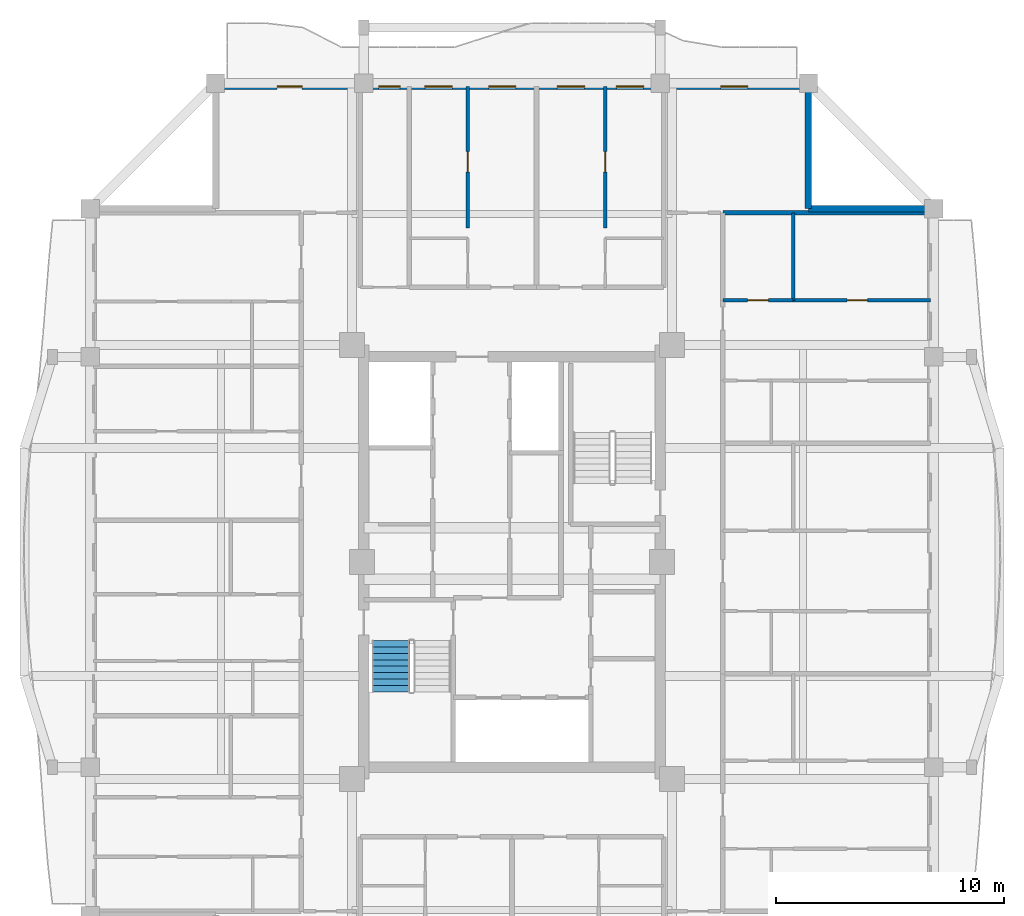
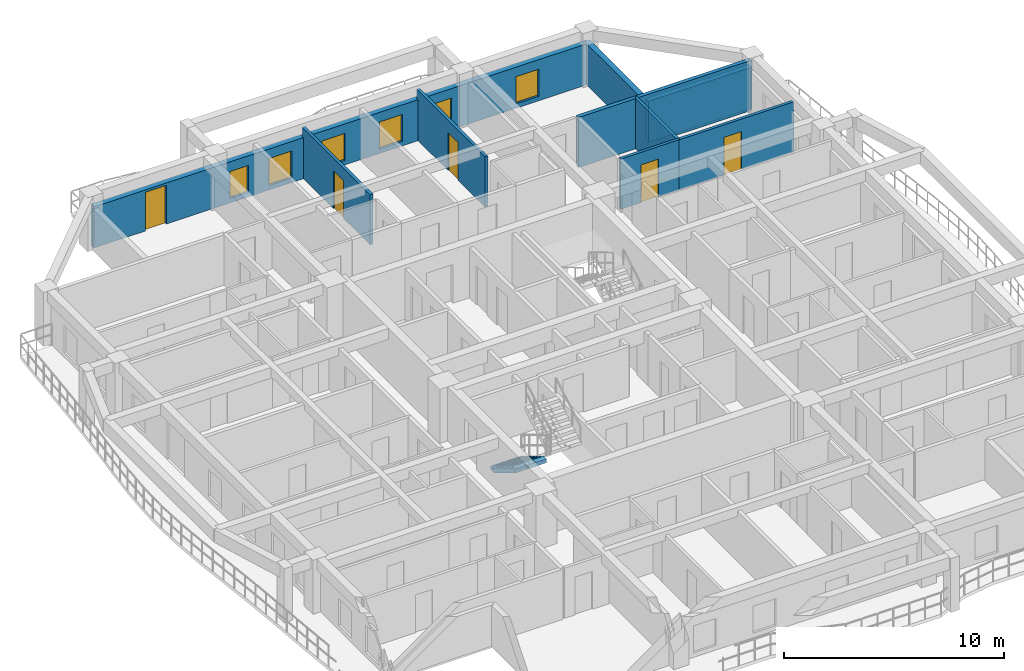
# One storey, part 7 of 13: 9 walls, 6 windows, 5 doors, 1 stair flight, 11 openings, 1 element without a shape of its own.
"""IFC4 building model written with IfcOpenShell, lengths in metres."""

from ifc_helpers import new_model, si_unit, direction, frame, frame_2d, origin, place, context, subcontext, project, spatial, polyline, rectangle, outline, extrude, source, transform, mapped, material, layer, layer_set, type_object, element, fill, aggregate, save


model = new_model("IFC4")

# Units and contexts
model_context = context("Model", 3, precision=1e-05, world=origin(), true_north=direction((0.0, 1.0)))
body_context = subcontext(model_context, "Body", "Model", "MODEL_VIEW")
ifc_project = project(units=[si_unit("LENGTHUNIT", "METRE"), si_unit("AREAUNIT", "SQUARE_METRE"), si_unit("VOLUMEUNIT", "CUBIC_METRE"), si_unit("PLANEANGLEUNIT", "RADIAN"), si_unit("MASSUNIT", "GRAM", prefix="KILO")], contexts=[model_context])

# Site, building, storey
site_placement = place(None, origin())
site = spatial("IfcSite", under=ifc_project, at=site_placement, CompositionType="ELEMENT")
building_placement = place(site_placement, origin())
building = spatial("IfcBuilding", under=site, at=building_placement, Name="Saelheon Loggia Tower", CompositionType="ELEMENT")
storey_placement = place(building_placement, frame((0.0, 0.0, 199.60009765625)))
storey = spatial("IfcBuildingStorey", under=building, at=storey_placement, Name="L62", CompositionType="ELEMENT", Elevation=199.60009765625)

# Wall, openings, windows, door
ifc_material_1 = material(Name="Architectural Precast Concrete C40/50", Category="concrete")
ifc_layer_1 = layer(ifc_material_1, 0.280029296875)
ifc_layer_set_1 = layer_set([ifc_layer_1], Name="Architectural Precast Concrete C40/50")
wall_type_1 = type_object("IfcWallType", Name="Wall_Ext_Loggia_280", PredefinedType="SOLIDWALL", material=ifc_layer_set_1)
wall_1_placement = place(storey_placement, frame((25.0, 47.860107421875, 0.0), z_axis=(0.0, 0.0, 1.0), x_axis=(1.0, 0.0, 0.0)))
wall_1 = element("IfcWall", 1, at=wall_1_placement, inside=storey, type_object=wall_type_1, Name="L62 North Loggia Inner Wall", PredefinedType="SOLIDWALL", context=body_context, shape_type="SweptSolid", body=[
    extrude(rectangle(XDim=26.0, YDim=0.280029296875, at=frame_2d((13.0, 0.0))), origin(), (0.0, 0.0, 1.0), 2.27978515625),
])
opening_1_placement = place(wall_1_placement, frame((2.699951171875, 0.0, 0.0)))
opening_1 = element("IfcOpeningElement", 2, at=opening_1_placement, cuts=wall_1, Name="Opening TD1", PredefinedType="OPENING", context=body_context, shape_type="SweptSolid", body=[
    extrude(rectangle(XDim=1.10009765625, YDim=2.14990234375, at=frame_2d((0.550048828125, 1.074951171875))), frame((0.0, 0.152099609375, 0.0), z_axis=(0.0, -1.0, 0.0), x_axis=(1.0, 0.0, 0.0)), (0.0, 0.0, 1.0), 0.303955078125),
])
opening_2_placement = place(wall_1_placement, frame((7.14501953125, 0.0, 0.25)))
opening_2 = element("IfcOpeningElement", 3, at=opening_2_placement, cuts=wall_1, Name="Opening WN-04", PredefinedType="OPENING", context=body_context, shape_type="SweptSolid", body=[
    extrude(rectangle(XDim=0.949951171875, YDim=1.5, at=frame_2d((0.47509765625, 0.75))), frame((0.0, 0.152099609375, 0.0), z_axis=(0.0, -1.0, 0.0), x_axis=(1.0, 0.0, 0.0)), (0.0, 0.0, 1.0), 0.303955078125),
])
opening_3_placement = place(wall_1_placement, frame((9.182373046875, 0.0, 0.25)))
opening_3 = element("IfcOpeningElement", 4, at=opening_3_placement, cuts=wall_1, Name="Opening WN-03", PredefinedType="OPENING", context=body_context, shape_type="SweptSolid", body=[
    extrude(rectangle(XDim=1.199951171875, YDim=1.5, at=frame_2d((0.60009765625, 0.75))), frame((0.0, 0.152099609375, 0.0), z_axis=(0.0, -1.0, 0.0), x_axis=(1.0, 0.0, 0.0)), (0.0, 0.0, 1.0), 0.303955078125),
])
opening_4_placement = place(wall_1_placement, frame((11.9697265625, 0.0, 0.25)))
opening_4 = element("IfcOpeningElement", 5, at=opening_4_placement, cuts=wall_1, Name="Opening WN-03", PredefinedType="OPENING", context=body_context, shape_type="SweptSolid", body=[
    extrude(rectangle(XDim=1.199951171875, YDim=1.5, at=frame_2d((0.60009765625, 0.75))), frame((0.0, 0.152099609375, 0.0), z_axis=(0.0, -1.0, 0.0), x_axis=(1.0, 0.0, 0.0)), (0.0, 0.0, 1.0), 0.303955078125),
])
opening_5_placement = place(wall_1_placement, frame((14.980224609375, 0.0, 0.25)))
opening_5 = element("IfcOpeningElement", 6, at=opening_5_placement, cuts=wall_1, Name="Opening WN-03", PredefinedType="OPENING", context=body_context, shape_type="SweptSolid", body=[
    extrude(rectangle(XDim=1.199951171875, YDim=1.5, at=frame_2d((0.60009765625, 0.75))), frame((0.0, 0.152099609375, 0.0), z_axis=(0.0, -1.0, 0.0), x_axis=(1.0, 0.0, 0.0)), (0.0, 0.0, 1.0), 0.303955078125),
])
opening_6_placement = place(wall_1_placement, frame((17.57275390625, 0.0, 0.25)))
opening_6 = element("IfcOpeningElement", 7, at=opening_6_placement, cuts=wall_1, Name="Opening WN-03", PredefinedType="OPENING", context=body_context, shape_type="SweptSolid", body=[
    extrude(rectangle(XDim=1.199951171875, YDim=1.5, at=frame_2d((0.60009765625, 0.75))), frame((0.0, 0.152099609375, 0.0), z_axis=(0.0, -1.0, 0.0), x_axis=(1.0, 0.0, 0.0)), (0.0, 0.0, 1.0), 0.303955078125),
])
opening_7_placement = place(wall_1_placement, frame((22.14990234375, 0.0, 0.25)))
opening_7 = element("IfcOpeningElement", 8, at=opening_7_placement, cuts=wall_1, Name="Opening WN-03", PredefinedType="OPENING", context=body_context, shape_type="SweptSolid", body=[
    extrude(rectangle(XDim=1.199951171875, YDim=1.5, at=frame_2d((0.60009765625, 0.75))), frame((0.0, 0.152099609375, 0.0), z_axis=(0.0, -1.0, 0.0), x_axis=(1.0, 0.0, 0.0)), (0.0, 0.0, 1.0), 0.303955078125),
])
ifc_material_2 = material(Name="Thermal-Break Aluminium and Triple Low-E Glass", Category="aluminium")
window_type_1 = type_object("IfcWindowType", Name="Win_Bedroom_1200x1500", PartitioningType="SINGLE_PANEL", PredefinedType="WINDOW", material=ifc_material_2)
shared_shape_1 = source(origin(), body_context, "Body", "SweptSolid", [
    extrude(rectangle(XDim=1.199951171875, YDim=1.5, at=frame_2d((0.60009765625, 0.75))), frame((0.0, 0.030029296875, 0.0), z_axis=(0.0, -1.0, 0.0), x_axis=(1.0, 0.0, 0.0)), (0.0, 0.0, 1.0), 0.06005859375),
])
window_1_placement = place(opening_3_placement, origin())
window_1 = element("IfcWindow", 9, at=window_1_placement, inside=storey, type_object=window_type_1, Name="L62 N Dwelling Window 3", OverallHeight=1.5, OverallWidth=1.199951171875, PartitioningType="SINGLE_PANEL", PredefinedType="WINDOW", context=body_context, shape_type="MappedRepresentation", body=[
    mapped(shared_shape_1, transform((0.0, 0.0, 0.0), scale=1.0)),
])
fill(opening_3, window_1)
window_2_placement = place(opening_4_placement, origin())
window_2 = element("IfcWindow", 10, at=window_2_placement, inside=storey, type_object=window_type_1, Name="L62 N Dwelling Window 4", OverallHeight=1.5, OverallWidth=1.199951171875, PartitioningType="SINGLE_PANEL", PredefinedType="WINDOW", context=body_context, shape_type="MappedRepresentation", body=[
    mapped(shared_shape_1, transform((0.0, 0.0, 0.0), scale=1.0)),
])
fill(opening_4, window_2)
window_3_placement = place(opening_5_placement, origin())
window_3 = element("IfcWindow", 11, at=window_3_placement, inside=storey, type_object=window_type_1, Name="L62 N Dwelling Window 5", OverallHeight=1.5, OverallWidth=1.199951171875, PartitioningType="SINGLE_PANEL", PredefinedType="WINDOW", context=body_context, shape_type="MappedRepresentation", body=[
    mapped(shared_shape_1, transform((0.0, 0.0, 0.0), scale=1.0)),
])
fill(opening_5, window_3)
window_4_placement = place(opening_6_placement, origin())
window_4 = element("IfcWindow", 12, at=window_4_placement, inside=storey, type_object=window_type_1, Name="L62 N Dwelling Window 6", OverallHeight=1.5, OverallWidth=1.199951171875, PartitioningType="SINGLE_PANEL", PredefinedType="WINDOW", context=body_context, shape_type="MappedRepresentation", body=[
    mapped(shared_shape_1, transform((0.0, 0.0, 0.0), scale=1.0)),
])
fill(opening_6, window_4)
window_5_placement = place(opening_7_placement, origin())
window_5 = element("IfcWindow", 13, at=window_5_placement, inside=storey, type_object=window_type_1, Name="L62 N Dwelling Window 7", OverallHeight=1.5, OverallWidth=1.199951171875, PartitioningType="SINGLE_PANEL", PredefinedType="WINDOW", context=body_context, shape_type="MappedRepresentation", body=[
    mapped(shared_shape_1, transform((0.0, 0.0, 0.0), scale=1.0)),
])
fill(opening_7, window_5)
ifc_material_3 = material(Name="Thermal-Break Aluminium Glazed Door", Category="aluminium")
door_type_1 = type_object("IfcDoorType", Name="Door_Terrace_TD1", OperationType="NOTDEFINED", PredefinedType="DOOR", material=ifc_material_3)
shared_shape_2 = source(origin(), body_context, "Body", "SweptSolid", [
    extrude(rectangle(XDim=1.10009765625, YDim=2.14990234375, at=frame_2d((0.550048828125, 1.074951171875))), frame((0.0, 0.02490234375, 0.0), z_axis=(0.0, -1.0, 0.0), x_axis=(1.0, 0.0, 0.0)), (0.0, 0.0, 1.0), 0.050048828125),
])
door_1_placement = place(opening_1_placement, origin())
door_1 = element("IfcDoor", 14, at=door_1_placement, inside=storey, type_object=door_type_1, Name="L62 N Loggia Access Door", OperationType="SINGLE_SWING_LEFT", OverallHeight=2.14990234375, OverallWidth=1.10009765625, PredefinedType="DOOR", context=body_context, shape_type="MappedRepresentation", body=[
    mapped(shared_shape_2, transform((0.0, 0.0, 0.0), scale=1.0)),
])
fill(opening_1, door_1)
window_type_2 = type_object("IfcWindowType", Name="Win_Narrow_950x1500", PartitioningType="SINGLE_PANEL", PredefinedType="WINDOW", material=ifc_material_2)
shared_shape_3 = source(origin(), body_context, "Body", "SweptSolid", [
    extrude(rectangle(XDim=0.949951171875, YDim=1.5, at=frame_2d((0.47509765625, 0.75))), frame((0.0, 0.030029296875, 0.0), z_axis=(0.0, -1.0, 0.0), x_axis=(1.0, 0.0, 0.0)), (0.0, 0.0, 1.0), 0.06005859375),
])
window_6_placement = place(opening_2_placement, origin())
window_6 = element("IfcWindow", 15, at=window_6_placement, inside=storey, type_object=window_type_2, Name="L62 N Dwelling Window 2", OverallHeight=1.5, OverallWidth=0.949951171875, PartitioningType="SINGLE_PANEL", PredefinedType="WINDOW", context=body_context, shape_type="MappedRepresentation", body=[
    mapped(shared_shape_3, transform((0.0, 0.0, 0.0), scale=1.0)),
])
fill(opening_2, window_6)

# Walls
for number, where, z_axis, x_axis, name in (
    (16, (51.0, 42.5, 0.0), (0.0, 0.0, 1.0), (0.0, 1.0, 0.0), "L62 Corner Notch Precast Wall NE1"),
    (17, (51.0, 42.5, 0.0), (0.0, 0.0, 1.0), (1.0, 0.0, 0.0), "L62 Corner Notch Precast Wall NE2"),
):
    element("IfcWall", number, at=place(storey_placement, frame(where, z_axis=z_axis, x_axis=x_axis)), inside=storey, type_object=wall_type_1, Name=name, PredefinedType="SOLIDWALL", context=body_context, shape_type="SweptSolid", body=[
        extrude(rectangle(XDim=5.419921875, YDim=0.280029296875, at=frame_2d((2.7099609375, 0.0))), origin(), (0.0, 0.0, 1.0), 2.27978515625),
    ])

# Wall, opening, door
ifc_material_4 = material(Name="Lightweight Autoclaved Aerated Concrete Block and Acoustic Gypsum", Category="concrete")
ifc_layer_2 = layer(ifc_material_4, 0.14990234375)
ifc_layer_set_2 = layer_set([ifc_layer_2], Name="Lightweight Autoclaved Aerated Concrete Block and Acoustic Gypsum")
wall_type_2 = type_object("IfcWallType", Name="Wall_Part_150", PredefinedType="PARTITIONING", material=ifc_layer_set_2)
wall_2_placement = place(storey_placement, frame((36.064453125, 41.64990234375, 0.0), z_axis=(0.0, 0.0, 1.0), x_axis=(0.0, 1.0, 0.0)))
wall_2 = element("IfcWall", 18, at=wall_2_placement, inside=storey, type_object=wall_type_2, Name="L62 N Partition U09", PredefinedType="PARTITIONING", context=body_context, shape_type="SweptSolid", body=[
    extrude(rectangle(XDim=6.2001953125, YDim=0.14990234375, at=frame_2d((3.10009765625, 0.0))), origin(), (0.0, 0.0, 1.0), 2.789794921875),
])
opening_8_placement = place(wall_2_placement, frame((2.44921875, 0.0, 0.0)))
opening_8 = element("IfcOpeningElement", 19, at=opening_8_placement, cuts=wall_2, Name="Opening D-IN2", PredefinedType="OPENING", context=body_context, shape_type="SweptSolid", body=[
    extrude(rectangle(XDim=0.89990234375, YDim=2.10009765625, at=frame_2d((0.449951171875, 1.050048828125))), frame((0.0, 0.0869140625, 0.0), z_axis=(0.0, -1.0, 0.0), x_axis=(1.0, 0.0, 0.0)), (0.0, 0.0, 1.0), 0.173828125),
])
ifc_material_5 = material(Name="Engineered Oak Flush Door", Category="timber")
door_type_2 = type_object("IfcDoorType", Name="Door_Int_900", OperationType="NOTDEFINED", PredefinedType="DOOR", material=ifc_material_5)
shared_shape_4 = source(origin(), body_context, "Body", "SweptSolid", [
    extrude(rectangle(XDim=0.89990234375, YDim=2.10009765625, at=frame_2d((0.449951171875, 1.050048828125))), frame((0.0, 0.02490234375, 0.0), z_axis=(0.0, -1.0, 0.0), x_axis=(1.0, 0.0, 0.0)), (0.0, 0.0, 1.0), 0.050048828125),
])
door_2_placement = place(opening_8_placement, origin())
door_2 = element("IfcDoor", 20, at=door_2_placement, inside=storey, type_object=door_type_2, Name="Unit U03 Kitchen Door", OperationType="SINGLE_SWING_LEFT", OverallHeight=2.10009765625, OverallWidth=0.89990234375, PredefinedType="DOOR", context=body_context, shape_type="MappedRepresentation", body=[
    mapped(shared_shape_4, transform((0.0, 0.0, 0.0), scale=1.0)),
])
fill(opening_8, door_2)

wall_3_placement = place(storey_placement, frame((42.08544921875, 41.64990234375, 0.0), z_axis=(0.0, 0.0, 1.0), x_axis=(0.0, 1.0, 0.0)))
wall_3 = element("IfcWall", 21, at=wall_3_placement, inside=storey, type_object=wall_type_2, Name="L62 N Partition U15", PredefinedType="PARTITIONING", context=body_context, shape_type="SweptSolid", body=[
    extrude(rectangle(XDim=6.2001953125, YDim=0.14990234375, at=frame_2d((3.10009765625, 0.0))), origin(), (0.0, 0.0, 1.0), 2.789794921875),
])
opening_9_placement = place(wall_3_placement, frame((2.44921875, 0.0, 0.0)))
opening_9 = element("IfcOpeningElement", 22, at=opening_9_placement, cuts=wall_3, Name="Opening D-IN2", PredefinedType="OPENING", context=body_context, shape_type="SweptSolid", body=[
    extrude(rectangle(XDim=0.89990234375, YDim=2.10009765625, at=frame_2d((0.449951171875, 1.050048828125))), frame((0.0, 0.0869140625, 0.0), z_axis=(0.0, -1.0, 0.0), x_axis=(1.0, 0.0, 0.0)), (0.0, 0.0, 1.0), 0.173828125),
])
door_3_placement = place(opening_9_placement, origin())
door_3 = element("IfcDoor", 23, at=door_3_placement, inside=storey, type_object=door_type_2, Name="Unit U04 Kitchen Door", OperationType="SINGLE_SWING_RIGHT", OverallHeight=2.10009765625, OverallWidth=0.89990234375, PredefinedType="DOOR", context=body_context, shape_type="MappedRepresentation", body=[
    mapped(shared_shape_4, transform((0.0, 0.0, 0.0), scale=1.0)),
])
fill(opening_9, door_3)

# Wall
wall_4_placement = place(storey_placement, frame((50.330078125, 38.477783203125, 0.0), z_axis=(0.0, 0.0, 1.0), x_axis=(0.0, 1.0, 0.0)))
element("IfcWall", 24, at=wall_4_placement, inside=storey, type_object=wall_type_2, Name="L62 E Partition V29", PredefinedType="PARTITIONING", context=body_context, shape_type="SweptSolid", body=[
    extrude(rectangle(XDim=3.84228515625, YDim=0.14990234375, at=frame_2d((1.921142578125, 0.0))), origin(), (0.0, 0.0, 1.0), 2.789794921875),
])

# Wall, opening, door
wall_5_placement = place(storey_placement, frame((47.25, 38.477783203125, 0.0), z_axis=(0.0, 0.0, 1.0), x_axis=(1.0, 0.0, 0.0)))
wall_5 = element("IfcWall", 25, at=wall_5_placement, inside=storey, type_object=wall_type_2, Name="L62 E Partition U33", PredefinedType="PARTITIONING", context=body_context, shape_type="SweptSolid", body=[
    extrude(rectangle(XDim=3.080078125, YDim=0.14990234375, at=frame_2d((1.5400390625, 0.0))), origin(), (0.0, 0.0, 1.0), 2.789794921875),
])
opening_10_placement = place(wall_5_placement, frame((1.090087890625, 0.0, 0.0)))
opening_10 = element("IfcOpeningElement", 26, at=opening_10_placement, cuts=wall_5, Name="Opening D-IN2", PredefinedType="OPENING", context=body_context, shape_type="SweptSolid", body=[
    extrude(rectangle(XDim=0.89990234375, YDim=2.10009765625, at=frame_2d((0.449951171875, 1.050048828125))), frame((0.0, 0.0869140625, 0.0), z_axis=(0.0, -1.0, 0.0), x_axis=(1.0, 0.0, 0.0)), (0.0, 0.0, 1.0), 0.173828125),
])
door_4_placement = place(opening_10_placement, origin())
door_4 = element("IfcDoor", 27, at=door_4_placement, inside=storey, type_object=door_type_2, Name="Unit U11 Home Office Door", OperationType="SINGLE_SWING_RIGHT", OverallHeight=2.10009765625, OverallWidth=0.89990234375, PredefinedType="DOOR", context=body_context, shape_type="MappedRepresentation", body=[
    mapped(shared_shape_4, transform((0.0, 0.0, 0.0), scale=1.0)),
])
fill(opening_10, door_4)

wall_6_placement = place(storey_placement, frame((50.330078125, 38.477783203125, 0.0), z_axis=(0.0, 0.0, 1.0), x_axis=(1.0, 0.0, 0.0)))
wall_6 = element("IfcWall", 28, at=wall_6_placement, inside=storey, type_object=wall_type_2, Name="L62 E Partition U34", PredefinedType="PARTITIONING", context=body_context, shape_type="SweptSolid", body=[
    extrude(rectangle(XDim=6.02001953125, YDim=0.14990234375, at=frame_2d((3.010009765625, 0.0))), origin(), (0.0, 0.0, 1.0), 2.789794921875),
])
opening_11_placement = place(wall_6_placement, frame((2.36669921875, 0.0, 0.0)))
opening_11 = element("IfcOpeningElement", 29, at=opening_11_placement, cuts=wall_6, Name="Opening D-IN2", PredefinedType="OPENING", context=body_context, shape_type="SweptSolid", body=[
    extrude(rectangle(XDim=0.89990234375, YDim=2.10009765625, at=frame_2d((0.449951171875, 1.050048828125))), frame((0.0, 0.0869140625, 0.0), z_axis=(0.0, -1.0, 0.0), x_axis=(1.0, 0.0, 0.0)), (0.0, 0.0, 1.0), 0.173828125),
])
door_5_placement = place(opening_11_placement, origin())
door_5 = element("IfcDoor", 30, at=door_5_placement, inside=storey, type_object=door_type_2, Name="Unit U11 Bedroom 1 Door", OperationType="SINGLE_SWING_LEFT", OverallHeight=2.10009765625, OverallWidth=0.89990234375, PredefinedType="DOOR", context=body_context, shape_type="MappedRepresentation", body=[
    mapped(shared_shape_4, transform((0.0, 0.0, 0.0), scale=1.0)),
])
fill(opening_11, door_5)

# Wall
ifc_material_6 = material(Name="Double Acoustic Stud and Fireboard Partition", Category="gypsum")
ifc_layer_3 = layer(ifc_material_6, 0.199951171875)
ifc_layer_set_3 = layer_set([ifc_layer_3], Name="Double Acoustic Stud and Fireboard Partition")
wall_type_3 = type_object("IfcWallType", Name="Wall_Party_200", PredefinedType="PARTITIONING", material=ifc_layer_set_3)
wall_7_placement = place(storey_placement, frame((47.25, 42.320068359375, 0.0), z_axis=(0.0, 0.0, 1.0), x_axis=(1.0, 0.0, 0.0)))
element("IfcWall", 31, at=wall_7_placement, inside=storey, type_object=wall_type_3, Name="L62 E Partition U02", PredefinedType="PARTITIONING", context=body_context, shape_type="SweptSolid", body=[
    extrude(rectangle(XDim=9.10009765625, YDim=0.199951171875, at=frame_2d((4.550048828125, 0.0))), origin(), (0.0, 0.0, 1.0), 2.789794921875),
])

# Stair, stair flight
ifc_material_7 = material(Name="Concrete C40/50", Category="concrete")
stair_type = type_object("IfcStairType", Name="Stair_Escape_Core", PredefinedType="HALF_TURN_STAIR", material=ifc_material_7)
stair_placement = place(storey_placement, origin())
stair = element("IfcStair", 32, at=stair_placement, inside=storey, type_object=stair_type, Name="L62 Special Escape Stair ST1", PredefinedType="HALF_TURN_STAIR")
stair_flight_type = type_object("IfcStairFlightType", Name="StairFlight_Tower_1660", PredefinedType="STRAIGHT", material=ifc_material_7)
stair_flight_placement = place(storey_placement, frame((32.679931640625, 23.550048828125, 0.0), z_axis=(0.0, 0.0, 1.0), x_axis=(0.0, -1.0, 0.0)))
stair_flight = element("IfcStairFlight", 33, at=stair_flight_placement, type_object=stair_flight_type, Name="ST1 flight 1", NumberOfRisers=9, NumberOfTreads=8, PredefinedType="STRAIGHT", RiserHeight=0.166666667, TreadLength=0.28, context=body_context, shape_type="SweptSolid", body=[
    extrude(outline(polyline([(0.0, 0.0), (0.0, 0.166748046875), (0.280029296875, 0.166748046875), (0.280029296875, 0.333251953125), (0.56005859375, 0.333251953125), (0.56005859375, 0.5), (0.840087890625, 0.5), (0.840087890625, 0.666748046875), (1.1201171875, 0.666748046875), (1.1201171875, 0.833251953125), (1.39990234375, 0.833251953125), (1.39990234375, 1.0), (1.679931640625, 1.0), (1.679931640625, 1.166748046875), (1.9599609375, 1.166748046875), (1.9599609375, 1.333251953125), (2.239990234375, 1.333251953125), (2.239990234375, 1.5), (2.239990234375, 1.1240234375), (0.351806640625, 0.0), (0.0, 0.0)])), frame((0.0, -0.2490234375, 0.0), z_axis=(0.0, -1.0, 0.0), x_axis=(1.0, 0.0, 0.0)), (0.0, 0.0, 1.0), 0.5810546875),
    extrude(outline(polyline([(0.0, 0.0), (0.0, 0.166748046875), (0.280029296875, 0.166748046875), (0.280029296875, 0.333251953125), (0.56005859375, 0.333251953125), (0.56005859375, 0.5), (0.840087890625, 0.5), (0.840087890625, 0.666748046875), (1.1201171875, 0.666748046875), (1.1201171875, 0.833251953125), (1.39990234375, 0.833251953125), (1.39990234375, 1.0), (1.679931640625, 1.0), (1.679931640625, 1.166748046875), (1.9599609375, 1.166748046875), (1.9599609375, 1.333251953125), (2.239990234375, 1.333251953125), (2.239990234375, 1.5), (2.239990234375, 1.1240234375), (0.351806640625, 0.0), (0.0, 0.0)])), frame((0.0, -0.194091796875, 0.0), z_axis=(0.0, -1.0, 0.0), x_axis=(1.0, 0.0, 0.0)), (0.0, 0.0, 1.0), 0.0498046875),
    extrude(outline(polyline([(0.0, 0.0), (0.0, 0.166748046875), (0.280029296875, 0.166748046875), (0.280029296875, 0.333251953125), (0.56005859375, 0.333251953125), (0.56005859375, 0.5), (0.840087890625, 0.5), (0.840087890625, 0.666748046875), (1.1201171875, 0.666748046875), (1.1201171875, 0.833251953125), (1.39990234375, 0.833251953125), (1.39990234375, 1.0), (1.679931640625, 1.0), (1.679931640625, 1.166748046875), (1.9599609375, 1.166748046875), (1.9599609375, 1.333251953125), (2.239990234375, 1.333251953125), (2.239990234375, 1.5), (2.239990234375, 1.1240234375), (0.351806640625, 0.0), (0.0, 0.0)])), frame((0.0, -0.139404296875, 0.0), z_axis=(0.0, -1.0, 0.0), x_axis=(1.0, 0.0, 0.0)), (0.0, 0.0, 1.0), 0.0498046875),
    extrude(outline(polyline([(0.0, 0.0), (0.0, 0.166748046875), (0.280029296875, 0.166748046875), (0.280029296875, 0.333251953125), (0.56005859375, 0.333251953125), (0.56005859375, 0.5), (0.840087890625, 0.5), (0.840087890625, 0.666748046875), (1.1201171875, 0.666748046875), (1.1201171875, 0.833251953125), (1.39990234375, 0.833251953125), (1.39990234375, 1.0), (1.679931640625, 1.0), (1.679931640625, 1.166748046875), (1.9599609375, 1.166748046875), (1.9599609375, 1.333251953125), (2.239990234375, 1.333251953125), (2.239990234375, 1.5), (2.239990234375, 1.1240234375), (0.351806640625, 0.0), (0.0, 0.0)])), frame((0.0, -0.084716796875, 0.0), z_axis=(0.0, -1.0, 0.0), x_axis=(1.0, 0.0, 0.0)), (0.0, 0.0, 1.0), 0.0498046875),
    extrude(outline(polyline([(0.0, 0.0), (0.0, 0.166748046875), (0.280029296875, 0.166748046875), (0.280029296875, 0.333251953125), (0.56005859375, 0.333251953125), (0.56005859375, 0.5), (0.840087890625, 0.5), (0.840087890625, 0.666748046875), (1.1201171875, 0.666748046875), (1.1201171875, 0.833251953125), (1.39990234375, 0.833251953125), (1.39990234375, 1.0), (1.679931640625, 1.0), (1.679931640625, 1.166748046875), (1.9599609375, 1.166748046875), (1.9599609375, 1.333251953125), (2.239990234375, 1.333251953125), (2.239990234375, 1.5), (2.239990234375, 1.1240234375), (0.351806640625, 0.0), (0.0, 0.0)])), frame((0.0, -0.02978515625, 0.0), z_axis=(0.0, -1.0, 0.0), x_axis=(1.0, 0.0, 0.0)), (0.0, 0.0, 1.0), 0.0498046875),
    extrude(outline(polyline([(0.0, 0.0), (0.0, 0.166748046875), (0.280029296875, 0.166748046875), (0.280029296875, 0.333251953125), (0.56005859375, 0.333251953125), (0.56005859375, 0.5), (0.840087890625, 0.5), (0.840087890625, 0.666748046875), (1.1201171875, 0.666748046875), (1.1201171875, 0.833251953125), (1.39990234375, 0.833251953125), (1.39990234375, 1.0), (1.679931640625, 1.0), (1.679931640625, 1.166748046875), (1.9599609375, 1.166748046875), (1.9599609375, 1.333251953125), (2.239990234375, 1.333251953125), (2.239990234375, 1.5), (2.239990234375, 1.1240234375), (0.351806640625, 0.0), (0.0, 0.0)])), frame((0.0, 0.02490234375, 0.0), z_axis=(0.0, -1.0, 0.0), x_axis=(1.0, 0.0, 0.0)), (0.0, 0.0, 1.0), 0.0498046875),
    extrude(outline(polyline([(0.0, 0.0), (0.0, 0.166748046875), (0.280029296875, 0.166748046875), (0.280029296875, 0.333251953125), (0.56005859375, 0.333251953125), (0.56005859375, 0.5), (0.840087890625, 0.5), (0.840087890625, 0.666748046875), (1.1201171875, 0.666748046875), (1.1201171875, 0.833251953125), (1.39990234375, 0.833251953125), (1.39990234375, 1.0), (1.679931640625, 1.0), (1.679931640625, 1.166748046875), (1.9599609375, 1.166748046875), (1.9599609375, 1.333251953125), (2.239990234375, 1.333251953125), (2.239990234375, 1.5), (2.239990234375, 1.1240234375), (0.351806640625, 0.0), (0.0, 0.0)])), frame((0.0, 0.07958984375, 0.0), z_axis=(0.0, -1.0, 0.0), x_axis=(1.0, 0.0, 0.0)), (0.0, 0.0, 1.0), 0.0498046875),
    extrude(outline(polyline([(0.0, 0.0), (0.0, 0.166748046875), (0.280029296875, 0.166748046875), (0.280029296875, 0.333251953125), (0.56005859375, 0.333251953125), (0.56005859375, 0.5), (0.840087890625, 0.5), (0.840087890625, 0.666748046875), (1.1201171875, 0.666748046875), (1.1201171875, 0.833251953125), (1.39990234375, 0.833251953125), (1.39990234375, 1.0), (1.679931640625, 1.0), (1.679931640625, 1.166748046875), (1.9599609375, 1.166748046875), (1.9599609375, 1.333251953125), (2.239990234375, 1.333251953125), (2.239990234375, 1.5), (2.239990234375, 1.1240234375), (0.351806640625, 0.0), (0.0, 0.0)])), frame((0.0, 0.134521484375, 0.0), z_axis=(0.0, -1.0, 0.0), x_axis=(1.0, 0.0, 0.0)), (0.0, 0.0, 1.0), 0.0498046875),
    extrude(outline(polyline([(0.0, 0.0), (0.0, 0.166748046875), (0.280029296875, 0.166748046875), (0.280029296875, 0.333251953125), (0.56005859375, 0.333251953125), (0.56005859375, 0.5), (0.840087890625, 0.5), (0.840087890625, 0.666748046875), (1.1201171875, 0.666748046875), (1.1201171875, 0.833251953125), (1.39990234375, 0.833251953125), (1.39990234375, 1.0), (1.679931640625, 1.0), (1.679931640625, 1.166748046875), (1.9599609375, 1.166748046875), (1.9599609375, 1.333251953125), (2.239990234375, 1.333251953125), (2.239990234375, 1.5), (2.239990234375, 1.1240234375), (0.351806640625, 0.0), (0.0, 0.0)])), frame((0.0, 0.189208984375, 0.0), z_axis=(0.0, -1.0, 0.0), x_axis=(1.0, 0.0, 0.0)), (0.0, 0.0, 1.0), 0.0498046875),
    extrude(outline(polyline([(0.0, 0.0), (0.0, 0.166748046875), (0.280029296875, 0.166748046875), (0.280029296875, 0.333251953125), (0.56005859375, 0.333251953125), (0.56005859375, 0.5), (0.840087890625, 0.5), (0.840087890625, 0.666748046875), (1.1201171875, 0.666748046875), (1.1201171875, 0.833251953125), (1.39990234375, 0.833251953125), (1.39990234375, 1.0), (1.679931640625, 1.0), (1.679931640625, 1.166748046875), (1.9599609375, 1.166748046875), (1.9599609375, 1.333251953125), (2.239990234375, 1.333251953125), (2.239990234375, 1.5), (2.239990234375, 1.1240234375), (0.351806640625, 0.0), (0.0, 0.0)])), frame((0.0, 0.243896484375, 0.0), z_axis=(0.0, -1.0, 0.0), x_axis=(1.0, 0.0, 0.0)), (0.0, 0.0, 1.0), 0.0498046875),
    extrude(outline(polyline([(0.0, 0.0), (0.0, 0.166748046875), (0.280029296875, 0.166748046875), (0.280029296875, 0.333251953125), (0.56005859375, 0.333251953125), (0.56005859375, 0.5), (0.840087890625, 0.5), (0.840087890625, 0.666748046875), (1.1201171875, 0.666748046875), (1.1201171875, 0.833251953125), (1.39990234375, 0.833251953125), (1.39990234375, 1.0), (1.679931640625, 1.0), (1.679931640625, 1.166748046875), (1.9599609375, 1.166748046875), (1.9599609375, 1.333251953125), (2.239990234375, 1.333251953125), (2.239990234375, 1.5), (2.239990234375, 1.1240234375), (0.351806640625, 0.0), (0.0, 0.0)])), frame((0.0, 0.830078125, 0.0), z_axis=(0.0, -1.0, 0.0), x_axis=(1.0, 0.0, 0.0)), (0.0, 0.0, 1.0), 0.5810546875),
])
aggregate(stair, [stair_flight])

save(model, "model.ifc")
